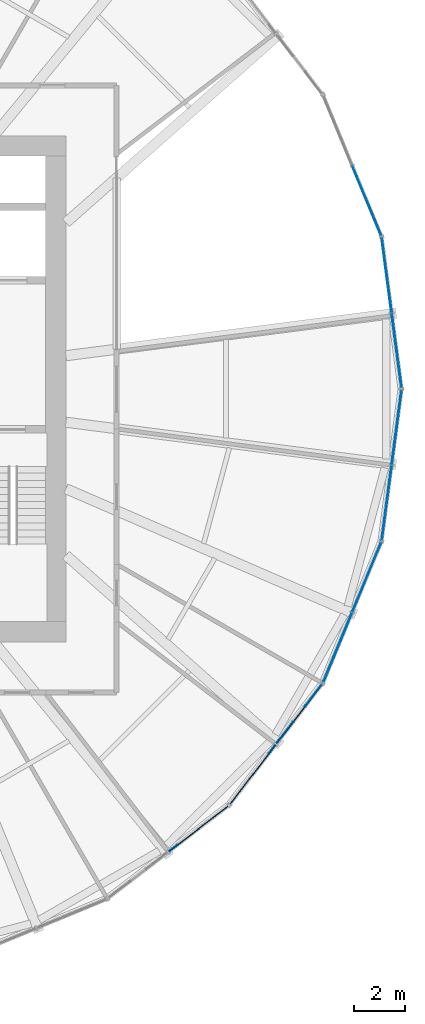
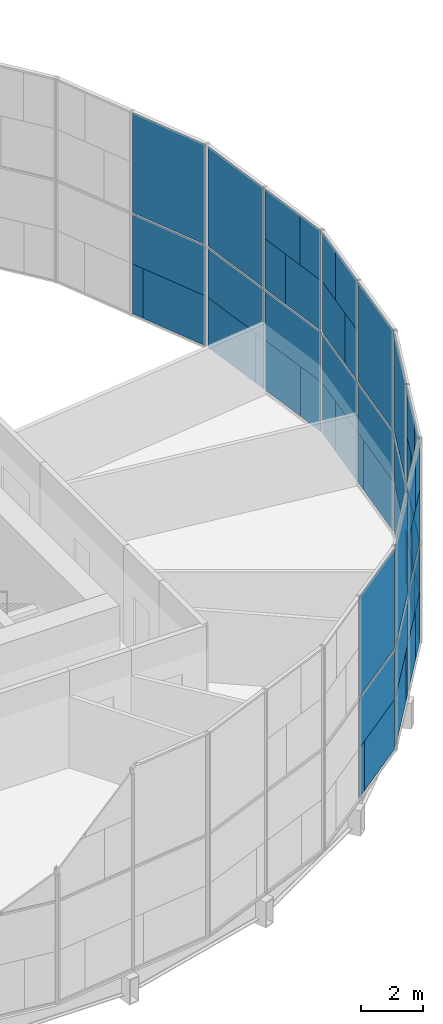
# One storey, part 12 of 18: 52 plates, 6 elements without a shape of their own.
"""IFC4 building model written with IfcOpenShell, lengths in metres."""

from ifc_helpers import new_model, si_unit, direction, frame, origin, origin_2d, place, context, subcontext, project, spatial, rectangle, extrude, material, layer, layer_set, type_object, element, aggregate, save


model = new_model("IFC4")

# Units and contexts
model_context = context("Model", 3, precision=1e-05, world=origin(), true_north=direction((0.0, 1.0)))
body_context = subcontext(model_context, "Body", "Model", "MODEL_VIEW")
ifc_project = project(units=[si_unit("LENGTHUNIT", "METRE"), si_unit("AREAUNIT", "SQUARE_METRE"), si_unit("VOLUMEUNIT", "CUBIC_METRE"), si_unit("PLANEANGLEUNIT", "RADIAN"), si_unit("MASSUNIT", "GRAM", prefix="KILO")], contexts=[model_context])

# Site, building, storey
site_placement = place(None, origin())
site = spatial("IfcSite", under=ifc_project, at=site_placement, CompositionType="ELEMENT")
building_placement = place(site_placement, origin())
building = spatial("IfcBuilding", under=site, at=building_placement, Name="Golbaran Civic Tower", CompositionType="ELEMENT")
storey_placement = place(building_placement, frame((0.0, 0.0, 45.0)))
storey = spatial("IfcBuildingStorey", under=building, at=storey_placement, Name="L10", CompositionType="ELEMENT", Elevation=45.0)

# Curtain wall, plates
ifc_material_1 = material(Name="Aluminium and glass", Category="aluminium")
curtain_wall_type = type_object("IfcCurtainWallType", Name="INNER SKIN CURTAIN WALL", PredefinedType="NOTDEFINED", material=ifc_material_1)
curtain_wall_1_placement = place(storey_placement, origin())
curtain_wall_1 = element("IfcCurtainWall", 1, at=curtain_wall_1_placement, inside=storey, type_object=curtain_wall_type, Name="Inner skin L10 facet 1 CW1", ObjectType="INNER SKIN", PredefinedType="USERDEFINED")
ifc_material_2 = material(Name="Clear insulating glass", Category="glass")
ifc_layer_1 = layer(ifc_material_2, 0.031982421875, Name="Clear insulating glass")
ifc_layer_set_1 = layer_set([ifc_layer_1], Name="Clear insulating glass")
plate_type_1 = type_object("IfcPlateType", Name="INNER SKIN CURTAIN WALL GLAZED PANEL", PredefinedType="CURTAIN_PANEL", material=ifc_layer_set_1)
plate_1_placement = place(storey_placement, frame((23.193359375, 0.58935546875, 0.06494140625), z_axis=(0.0, 0.0, 1.0), x_axis=(-0.130526192134, 0.991444861385, 0.0)))
plate_1 = element("IfcPlate", 2, at=plate_1_placement, type_object=plate_type_1, Name="CW1 panel 1.1 part 1", PredefinedType="CURTAIN_PANEL", context=body_context, shape_type="SweptSolid", body=[
    extrude(rectangle(XDim=1.05908203125, YDim=0.031982421875, at=origin_2d()), origin(), (0.0, 0.0, 1.0), 1.951171875),
])
plate_2_placement = place(storey_placement, frame((22.949462890625, 2.44287109375, 4.032470703125), z_axis=(0.0, 0.0, 1.0), x_axis=(-0.130526192134, 0.991444861385, 0.0)))
plate_2 = element("IfcPlate", 3, at=plate_2_placement, type_object=plate_type_1, Name="CW1 panel 1.2 part 2", PredefinedType="CURTAIN_PANEL", context=body_context, shape_type="SweptSolid", body=[
    extrude(rectangle(XDim=1.08203125, YDim=0.031982421875, at=origin_2d()), origin(), (0.0, 0.0, 1.0), 1.951171875),
])
plate_3_placement = place(storey_placement, frame((23.0, 2.058837890625, 5.98388671875), z_axis=(0.0, 0.0, 1.0), x_axis=(-0.130526192134, 0.991444861385, 0.0)))
plate_3 = element("IfcPlate", 4, at=plate_3_placement, type_object=plate_type_1, Name="CW1 panel 1.2 part 4", PredefinedType="CURTAIN_PANEL", context=body_context, shape_type="SweptSolid", body=[
    extrude(rectangle(XDim=1.85693359375, YDim=0.031982421875, at=origin_2d()), origin(), (0.0, 0.0, 1.0), 1.951171875),
])
plate_4_placement = place(storey_placement, frame((22.65087890625, 4.710205078125, 0.06494140625), z_axis=(0.0, 0.0, 1.0), x_axis=(-0.130526192134, 0.991444861385, 0.0)))
plate_4 = element("IfcPlate", 5, at=plate_4_placement, type_object=plate_type_1, Name="CW1 panel 2.1 part 2", PredefinedType="CURTAIN_PANEL", context=body_context, shape_type="SweptSolid", body=[
    extrude(rectangle(XDim=2.51806640625, YDim=0.031982421875, at=origin_2d()), origin(), (0.0, 0.0, 1.0), 1.951171875),
])
plate_5_placement = place(storey_placement, frame((22.678466796875, 4.501220703125, 2.016357421875), z_axis=(0.0, 0.0, 1.0), x_axis=(-0.130526192134, 0.991444861385, 0.0)))
plate_5 = element("IfcPlate", 6, at=plate_5_placement, type_object=plate_type_1, Name="CW1 panel 2.1 part 3", PredefinedType="CURTAIN_PANEL", context=body_context, shape_type="SweptSolid", body=[
    extrude(rectangle(XDim=2.93994140625, YDim=0.031982421875, at=origin_2d()), origin(), (0.0, 0.0, 1.0), 1.951171875),
])
plate_6_placement = place(storey_placement, frame((22.678466796875, 4.501220703125, 4.0322265625), z_axis=(0.0, 0.0, 1.0), x_axis=(-0.130526192134, 0.991444861385, 0.0)))
plate_6 = element("IfcPlate", 7, at=plate_6_placement, type_object=plate_type_1, Name="CW1 panel 2.2", PredefinedType="CURTAIN_PANEL", context=body_context, shape_type="SweptSolid", body=[
    extrude(rectangle(XDim=2.93994140625, YDim=0.031982421875, at=origin_2d()), origin(), (0.0, 0.0, 1.0), 3.902587890625),
])

curtain_wall_2_placement = place(storey_placement, origin())
curtain_wall_2 = element("IfcCurtainWall", 8, at=curtain_wall_2_placement, inside=storey, type_object=curtain_wall_type, Name="Inner skin L10 facet 2 CW1", ObjectType="INNER SKIN", PredefinedType="USERDEFINED")
plate_7_placement = place(storey_placement, frame((21.971435546875, 7.24609375, 0.06494140625), z_axis=(0.0, 0.0, 1.0), x_axis=(-0.38268343251, 0.923879532451, 0.0)))
plate_7 = element("IfcPlate", 9, at=plate_7_placement, type_object=plate_type_1, Name="CW1 panel 1.1 part 1", PredefinedType="CURTAIN_PANEL", context=body_context, shape_type="SweptSolid", body=[
    extrude(rectangle(XDim=2.51806640625, YDim=0.031982421875, at=origin_2d()), origin(), (0.0, 0.0, 1.0), 1.951171875),
])
plate_8_placement = place(storey_placement, frame((21.890625, 7.441162109375, 2.016357421875), z_axis=(0.0, 0.0, 1.0), x_axis=(-0.38268343251, 0.923879532451, 0.0)))
plate_8 = element("IfcPlate", 10, at=plate_8_placement, type_object=plate_type_1, Name="CW1 panel 1.1 part 3", PredefinedType="CURTAIN_PANEL", context=body_context, shape_type="SweptSolid", body=[
    extrude(rectangle(XDim=2.93994140625, YDim=0.031982421875, at=origin_2d()), origin(), (0.0, 0.0, 1.0), 1.951171875),
])
plate_9_placement = place(storey_placement, frame((21.890625, 7.441162109375, 4.0322265625), z_axis=(0.0, 0.0, 1.0), x_axis=(-0.38268343251, 0.923879532451, 0.0)))
plate_9 = element("IfcPlate", 11, at=plate_9_placement, type_object=plate_type_1, Name="CW1 panel 1.2", PredefinedType="CURTAIN_PANEL", context=body_context, shape_type="SweptSolid", body=[
    extrude(rectangle(XDim=2.93994140625, YDim=0.031982421875, at=origin_2d()), origin(), (0.0, 0.0, 1.0), 3.902587890625),
])

curtain_wall_3_placement = place(storey_placement, origin())
curtain_wall_3 = element("IfcCurtainWall", 12, at=curtain_wall_3_placement, inside=storey, type_object=curtain_wall_type, Name="Inner skin L10 facet 21 CW1", ObjectType="INNER SKIN", PredefinedType="USERDEFINED")
plate_10_placement = place(storey_placement, frame((15.40478515625, -17.260986328125, 0.06494140625), z_axis=(0.0, 0.0, 1.0), x_axis=(0.793353340334, 0.608761428953, 0.0)))
plate_10 = element("IfcPlate", 13, at=plate_10_placement, type_object=plate_type_1, Name="CW1 panel 2.1 part 2", PredefinedType="CURTAIN_PANEL", context=body_context, shape_type="SweptSolid", body=[
    extrude(rectangle(XDim=2.51806640625, YDim=0.031982421875, at=origin_2d()), origin(), (0.0, 0.0, 1.0), 1.951171875),
])
plate_11_placement = place(storey_placement, frame((15.2373046875, -17.389404296875, 2.016357421875), z_axis=(0.0, 0.0, 1.0), x_axis=(0.793353340334, 0.608761428953, 0.0)))
plate_11 = element("IfcPlate", 14, at=plate_11_placement, type_object=plate_type_1, Name="CW1 panel 2.1 part 3", PredefinedType="CURTAIN_PANEL", context=body_context, shape_type="SweptSolid", body=[
    extrude(rectangle(XDim=2.93994140625, YDim=0.031982421875, at=origin_2d()), origin(), (0.0, 0.0, 1.0), 1.951171875),
])
plate_12_placement = place(storey_placement, frame((15.2373046875, -17.389404296875, 4.0322265625), z_axis=(0.0, 0.0, 1.0), x_axis=(0.793353340334, 0.608761428953, 0.0)))
plate_12 = element("IfcPlate", 15, at=plate_12_placement, type_object=plate_type_1, Name="CW1 panel 2.2", PredefinedType="CURTAIN_PANEL", context=body_context, shape_type="SweptSolid", body=[
    extrude(rectangle(XDim=2.93994140625, YDim=0.031982421875, at=origin_2d()), origin(), (0.0, 0.0, 1.0), 3.902587890625),
])

curtain_wall_4_placement = place(storey_placement, origin())
curtain_wall_4 = element("IfcCurtainWall", 16, at=curtain_wall_4_placement, inside=storey, type_object=curtain_wall_type, Name="Inner skin L10 facet 22 CW1", ObjectType="INNER SKIN", PredefinedType="USERDEFINED")
plate_13_placement = place(storey_placement, frame((17.260986328125, -15.40478515625, 0.06494140625), z_axis=(0.0, 0.0, 1.0), x_axis=(0.608761428953, 0.793353340334, 0.0)))
plate_13 = element("IfcPlate", 17, at=plate_13_placement, type_object=plate_type_1, Name="CW1 panel 1.1 part 1", PredefinedType="CURTAIN_PANEL", context=body_context, shape_type="SweptSolid", body=[
    extrude(rectangle(XDim=2.51806640625, YDim=0.031982421875, at=origin_2d()), origin(), (0.0, 0.0, 1.0), 1.951171875),
])
plate_14_placement = place(storey_placement, frame((17.389404296875, -15.2373046875, 2.016357421875), z_axis=(0.0, 0.0, 1.0), x_axis=(0.608761428953, 0.793353340334, 0.0)))
plate_14 = element("IfcPlate", 18, at=plate_14_placement, type_object=plate_type_1, Name="CW1 panel 1.1 part 3", PredefinedType="CURTAIN_PANEL", context=body_context, shape_type="SweptSolid", body=[
    extrude(rectangle(XDim=2.93994140625, YDim=0.031982421875, at=origin_2d()), origin(), (0.0, 0.0, 1.0), 1.951171875),
])
plate_15_placement = place(storey_placement, frame((17.389404296875, -15.2373046875, 4.0322265625), z_axis=(0.0, 0.0, 1.0), x_axis=(0.608761428953, 0.793353340334, 0.0)))
plate_15 = element("IfcPlate", 19, at=plate_15_placement, type_object=plate_type_1, Name="CW1 panel 1.2", PredefinedType="CURTAIN_PANEL", context=body_context, shape_type="SweptSolid", body=[
    extrude(rectangle(XDim=2.93994140625, YDim=0.031982421875, at=origin_2d()), origin(), (0.0, 0.0, 1.0), 3.902587890625),
])
plate_16_placement = place(storey_placement, frame((19.791259765625, -12.107177734375, 0.06494140625), z_axis=(0.0, 0.0, 1.0), x_axis=(0.608761428953, 0.793353340334, 0.0)))
plate_16 = element("IfcPlate", 20, at=plate_16_placement, type_object=plate_type_1, Name="CW1 panel 2.1 part 2", PredefinedType="CURTAIN_PANEL", context=body_context, shape_type="SweptSolid", body=[
    extrude(rectangle(XDim=1.05908203125, YDim=0.031982421875, at=origin_2d()), origin(), (0.0, 0.0, 1.0), 1.951171875),
])
plate_17_placement = place(storey_placement, frame((18.6533203125, -13.59033203125, 4.032470703125), z_axis=(0.0, 0.0, 1.0), x_axis=(0.608761428953, 0.793353340334, 0.0)))
plate_17 = element("IfcPlate", 21, at=plate_17_placement, type_object=plate_type_1, Name="CW1 panel 2.2 part 1", PredefinedType="CURTAIN_PANEL", context=body_context, shape_type="SweptSolid", body=[
    extrude(rectangle(XDim=1.08203125, YDim=0.031982421875, at=origin_2d()), origin(), (0.0, 0.0, 1.0), 1.951171875),
])
plate_18_placement = place(storey_placement, frame((18.88916015625, -13.282958984375, 5.98388671875), z_axis=(0.0, 0.0, 1.0), x_axis=(0.608761428953, 0.793353340334, 0.0)))
plate_18 = element("IfcPlate", 22, at=plate_18_placement, type_object=plate_type_1, Name="CW1 panel 2.2 part 3", PredefinedType="CURTAIN_PANEL", context=body_context, shape_type="SweptSolid", body=[
    extrude(rectangle(XDim=1.85693359375, YDim=0.031982421875, at=origin_2d()), origin(), (0.0, 0.0, 1.0), 1.951171875),
])

curtain_wall_5_placement = place(storey_placement, origin())
curtain_wall_5 = element("IfcCurtainWall", 23, at=curtain_wall_5_placement, inside=storey, type_object=curtain_wall_type, Name="Inner skin L10 facet 23 CW1", ObjectType="INNER SKIN", PredefinedType="USERDEFINED")
plate_19_placement = place(storey_placement, frame((20.380859375, -11.086181640625, 0.06494140625), z_axis=(0.0, 0.0, 1.0), x_axis=(0.38268343251, 0.923879532451, 0.0)))
plate_19 = element("IfcPlate", 24, at=plate_19_placement, type_object=plate_type_1, Name="CW1 panel 1.1 part 1", PredefinedType="CURTAIN_PANEL", context=body_context, shape_type="SweptSolid", body=[
    extrude(rectangle(XDim=1.05908203125, YDim=0.031982421875, at=origin_2d()), origin(), (0.0, 0.0, 1.0), 1.951171875),
])
plate_20_placement = place(storey_placement, frame((21.09619140625, -9.359130859375, 4.032470703125), z_axis=(0.0, 0.0, 1.0), x_axis=(0.38268343251, 0.923879532451, 0.0)))
plate_20 = element("IfcPlate", 25, at=plate_20_placement, type_object=plate_type_1, Name="CW1 panel 1.2 part 2", PredefinedType="CURTAIN_PANEL", context=body_context, shape_type="SweptSolid", body=[
    extrude(rectangle(XDim=1.08203125, YDim=0.031982421875, at=origin_2d()), origin(), (0.0, 0.0, 1.0), 1.951171875),
])
plate_21_placement = place(storey_placement, frame((20.947998046875, -9.717041015625, 5.98388671875), z_axis=(0.0, 0.0, 1.0), x_axis=(0.38268343251, 0.923879532451, 0.0)))
plate_21 = element("IfcPlate", 26, at=plate_21_placement, type_object=plate_type_1, Name="CW1 panel 1.2 part 4", PredefinedType="CURTAIN_PANEL", context=body_context, shape_type="SweptSolid", body=[
    extrude(rectangle(XDim=1.85693359375, YDim=0.031982421875, at=origin_2d()), origin(), (0.0, 0.0, 1.0), 1.951171875),
])
plate_22_placement = place(storey_placement, frame((21.971435546875, -7.24609375, 0.06494140625), z_axis=(0.0, 0.0, 1.0), x_axis=(0.38268343251, 0.923879532451, 0.0)))
plate_22 = element("IfcPlate", 27, at=plate_22_placement, type_object=plate_type_1, Name="CW1 panel 2.1 part 2", PredefinedType="CURTAIN_PANEL", context=body_context, shape_type="SweptSolid", body=[
    extrude(rectangle(XDim=2.51806640625, YDim=0.031982421875, at=origin_2d()), origin(), (0.0, 0.0, 1.0), 1.951171875),
])
plate_23_placement = place(storey_placement, frame((21.890625, -7.441162109375, 2.016357421875), z_axis=(0.0, 0.0, 1.0), x_axis=(0.38268343251, 0.923879532451, 0.0)))
plate_23 = element("IfcPlate", 28, at=plate_23_placement, type_object=plate_type_1, Name="CW1 panel 2.1 part 3", PredefinedType="CURTAIN_PANEL", context=body_context, shape_type="SweptSolid", body=[
    extrude(rectangle(XDim=2.93994140625, YDim=0.031982421875, at=origin_2d()), origin(), (0.0, 0.0, 1.0), 1.951171875),
])
plate_24_placement = place(storey_placement, frame((21.890625, -7.441162109375, 4.0322265625), z_axis=(0.0, 0.0, 1.0), x_axis=(0.38268343251, 0.923879532451, 0.0)))
plate_24 = element("IfcPlate", 29, at=plate_24_placement, type_object=plate_type_1, Name="CW1 panel 2.2", PredefinedType="CURTAIN_PANEL", context=body_context, shape_type="SweptSolid", body=[
    extrude(rectangle(XDim=2.93994140625, YDim=0.031982421875, at=origin_2d()), origin(), (0.0, 0.0, 1.0), 3.902587890625),
])

curtain_wall_6_placement = place(storey_placement, origin())
curtain_wall_6 = element("IfcCurtainWall", 30, at=curtain_wall_6_placement, inside=storey, type_object=curtain_wall_type, Name="Inner skin L10 facet 24 CW1", ObjectType="INNER SKIN", PredefinedType="USERDEFINED")
plate_25_placement = place(storey_placement, frame((22.65087890625, -4.710205078125, 0.06494140625), z_axis=(0.0, 0.0, 1.0), x_axis=(0.130526192134, 0.991444861385, 0.0)))
plate_25 = element("IfcPlate", 31, at=plate_25_placement, type_object=plate_type_1, Name="CW1 panel 1.1 part 1", PredefinedType="CURTAIN_PANEL", context=body_context, shape_type="SweptSolid", body=[
    extrude(rectangle(XDim=2.51806640625, YDim=0.031982421875, at=origin_2d()), origin(), (0.0, 0.0, 1.0), 1.951171875),
])
plate_26_placement = place(storey_placement, frame((22.678466796875, -4.501220703125, 2.016357421875), z_axis=(0.0, 0.0, 1.0), x_axis=(0.130526192134, 0.991444861385, 0.0)))
plate_26 = element("IfcPlate", 32, at=plate_26_placement, type_object=plate_type_1, Name="CW1 panel 1.1 part 3", PredefinedType="CURTAIN_PANEL", context=body_context, shape_type="SweptSolid", body=[
    extrude(rectangle(XDim=2.93994140625, YDim=0.031982421875, at=origin_2d()), origin(), (0.0, 0.0, 1.0), 1.951171875),
])
plate_27_placement = place(storey_placement, frame((22.678466796875, -4.501220703125, 4.0322265625), z_axis=(0.0, 0.0, 1.0), x_axis=(0.130526192134, 0.991444861385, 0.0)))
plate_27 = element("IfcPlate", 33, at=plate_27_placement, type_object=plate_type_1, Name="CW1 panel 1.2", PredefinedType="CURTAIN_PANEL", context=body_context, shape_type="SweptSolid", body=[
    extrude(rectangle(XDim=2.93994140625, YDim=0.031982421875, at=origin_2d()), origin(), (0.0, 0.0, 1.0), 3.902587890625),
])
plate_28_placement = place(storey_placement, frame((23.193359375, -0.58935546875, 0.06494140625), z_axis=(0.0, 0.0, 1.0), x_axis=(0.130526192134, 0.991444861385, 0.0)))
plate_28 = element("IfcPlate", 34, at=plate_28_placement, type_object=plate_type_1, Name="CW1 panel 2.1 part 2", PredefinedType="CURTAIN_PANEL", context=body_context, shape_type="SweptSolid", body=[
    extrude(rectangle(XDim=1.05908203125, YDim=0.031982421875, at=origin_2d()), origin(), (0.0, 0.0, 1.0), 1.951171875),
])
plate_29_placement = place(storey_placement, frame((22.949462890625, -2.44287109375, 4.032470703125), z_axis=(0.0, 0.0, 1.0), x_axis=(0.130526192134, 0.991444861385, 0.0)))
plate_29 = element("IfcPlate", 35, at=plate_29_placement, type_object=plate_type_1, Name="CW1 panel 2.2 part 1", PredefinedType="CURTAIN_PANEL", context=body_context, shape_type="SweptSolid", body=[
    extrude(rectangle(XDim=1.08203125, YDim=0.031982421875, at=origin_2d()), origin(), (0.0, 0.0, 1.0), 1.951171875),
])
plate_30_placement = place(storey_placement, frame((23.0, -2.05859375, 5.98388671875), z_axis=(0.0, 0.0, 1.0), x_axis=(0.130526192134, 0.991444861385, 0.0)))
plate_30 = element("IfcPlate", 36, at=plate_30_placement, type_object=plate_type_1, Name="CW1 panel 2.2 part 3", PredefinedType="CURTAIN_PANEL", context=body_context, shape_type="SweptSolid", body=[
    extrude(rectangle(XDim=1.85693359375, YDim=0.031982421875, at=origin_2d()), origin(), (0.0, 0.0, 1.0), 1.951171875),
])

# Plate
ifc_material_3 = material(Name="Aluminium faced opaque infill panel", Category="aluminium")
ifc_layer_2 = layer(ifc_material_3, 0.031982421875, Name="Aluminium faced opaque infill panel")
ifc_layer_set_2 = layer_set([ifc_layer_2], Name="Aluminium faced opaque infill panel")
plate_type_2 = type_object("IfcPlateType", Name="INNER SKIN CURTAIN WALL OPAQUE INFILL PANEL", PredefinedType="CURTAIN_PANEL", material=ifc_layer_set_2)
plate_31_placement = place(storey_placement, frame((23.00146484375, 2.046875, 0.06494140625), z_axis=(0.0, 0.0, 1.0), x_axis=(-0.130526192134, 0.991444861385, 0.0)))
plate_31 = element("IfcPlate", 37, at=plate_31_placement, type_object=plate_type_2, Name="CW1 infill panel 1.1 part 2", PredefinedType="CURTAIN_PANEL", context=body_context, shape_type="SweptSolid", body=[
    extrude(rectangle(XDim=1.880859375, YDim=0.031982421875, at=origin_2d()), origin(), (0.0, 0.0, 1.0), 1.951171875),
])

plate_32_placement = place(storey_placement, frame((23.070556640625, 1.52197265625, 2.016357421875), z_axis=(0.0, 0.0, 1.0), x_axis=(-0.130526192134, 0.991444861385, 0.0)))
plate_32 = element("IfcPlate", 38, at=plate_32_placement, type_object=plate_type_2, Name="CW1 infill panel 1.1 part 3", PredefinedType="CURTAIN_PANEL", context=body_context, shape_type="SweptSolid", body=[
    extrude(rectangle(XDim=2.93994140625, YDim=0.031982421875, at=origin_2d()), origin(), (0.0, 0.0, 1.0), 1.951171875),
])

plate_33_placement = place(storey_placement, frame((23.141357421875, 0.985595703125, 4.032470703125), z_axis=(0.0, 0.0, 1.0), x_axis=(-0.130526192134, 0.991444861385, 0.0)))
plate_33 = element("IfcPlate", 39, at=plate_33_placement, type_object=plate_type_2, Name="CW1 infill panel 1.2 part 1", PredefinedType="CURTAIN_PANEL", context=body_context, shape_type="SweptSolid", body=[
    extrude(rectangle(XDim=1.85791015625, YDim=0.031982421875, at=origin_2d()), origin(), (0.0, 0.0, 1.0), 1.951171875),
])

plate_34_placement = place(storey_placement, frame((23.19189453125, 0.601318359375, 5.98388671875), z_axis=(0.0, 0.0, 1.0), x_axis=(-0.130526192134, 0.991444861385, 0.0)))
plate_34 = element("IfcPlate", 40, at=plate_34_placement, type_object=plate_type_2, Name="CW1 infill panel 1.2 part 3", PredefinedType="CURTAIN_PANEL", context=body_context, shape_type="SweptSolid", body=[
    extrude(rectangle(XDim=1.0830078125, YDim=0.031982421875, at=origin_2d()), origin(), (0.0, 0.0, 1.0), 1.951171875),
])

plate_35_placement = place(storey_placement, frame((22.8427734375, 3.2529296875, 0.06494140625), z_axis=(0.0, 0.0, 1.0), x_axis=(-0.130526192134, 0.991444861385, 0.0)))
plate_35 = element("IfcPlate", 41, at=plate_35_placement, type_object=plate_type_2, Name="CW1 infill panel 2.1 part 1", PredefinedType="CURTAIN_PANEL", context=body_context, shape_type="SweptSolid", body=[
    extrude(rectangle(XDim=0.422119140625, YDim=0.031982421875, at=origin_2d()), origin(), (0.0, 0.0, 1.0), 1.951171875),
])

aggregate(curtain_wall_1, [plate_1, plate_31, plate_32, plate_33, plate_2, plate_34, plate_3, plate_35, plate_4, plate_5, plate_6])

plate_36_placement = place(storey_placement, frame((21.408935546875, 8.604248046875, 0.06494140625), z_axis=(0.0, 0.0, 1.0), x_axis=(-0.38268343251, 0.923879532451, 0.0)))
plate_36 = element("IfcPlate", 42, at=plate_36_placement, type_object=plate_type_2, Name="CW1 infill panel 1.1 part 2", PredefinedType="CURTAIN_PANEL", context=body_context, shape_type="SweptSolid", body=[
    extrude(rectangle(XDim=0.421875, YDim=0.031982421875, at=origin_2d()), origin(), (0.0, 0.0, 1.0), 1.951171875),
])

aggregate(curtain_wall_2, [plate_7, plate_36, plate_8, plate_9])

plate_37_placement = place(storey_placement, frame((14.238525390625, -18.156005859375, 0.06494140625), z_axis=(0.0, 0.0, 1.0), x_axis=(0.793353340334, 0.608761428953, 0.0)))
plate_37 = element("IfcPlate", 43, at=plate_37_placement, type_object=plate_type_2, Name="CW1 infill panel 2.1 part 1", PredefinedType="CURTAIN_PANEL", context=body_context, shape_type="SweptSolid", body=[
    extrude(rectangle(XDim=0.422119140625, YDim=0.031982421875, at=origin_2d()), origin(), (0.0, 0.0, 1.0), 1.951171875),
])

aggregate(curtain_wall_3, [plate_37, plate_10, plate_11, plate_12])

plate_38_placement = place(storey_placement, frame((18.156005859375, -14.238525390625, 0.06494140625), z_axis=(0.0, 0.0, 1.0), x_axis=(0.608761428953, 0.793353340334, 0.0)))
plate_38 = element("IfcPlate", 44, at=plate_38_placement, type_object=plate_type_2, Name="CW1 infill panel 1.1 part 2", PredefinedType="CURTAIN_PANEL", context=body_context, shape_type="SweptSolid", body=[
    extrude(rectangle(XDim=0.421875, YDim=0.031982421875, at=origin_2d()), origin(), (0.0, 0.0, 1.0), 1.951171875),
])

plate_39_placement = place(storey_placement, frame((18.896484375, -13.2734375, 0.06494140625), z_axis=(0.0, 0.0, 1.0), x_axis=(0.608761428953, 0.793353340334, 0.0)))
plate_39 = element("IfcPlate", 45, at=plate_39_placement, type_object=plate_type_2, Name="CW1 infill panel 2.1 part 1", PredefinedType="CURTAIN_PANEL", context=body_context, shape_type="SweptSolid", body=[
    extrude(rectangle(XDim=1.881103515625, YDim=0.031982421875, at=origin_2d()), origin(), (0.0, 0.0, 1.0), 1.951171875),
])

plate_40_placement = place(storey_placement, frame((19.21875, -12.853271484375, 2.016357421875), z_axis=(0.0, 0.0, 1.0), x_axis=(0.608761428953, 0.793353340334, 0.0)))
plate_40 = element("IfcPlate", 46, at=plate_40_placement, type_object=plate_type_2, Name="CW1 infill panel 2.1 part 3", PredefinedType="CURTAIN_PANEL", context=body_context, shape_type="SweptSolid", body=[
    extrude(rectangle(XDim=2.93994140625, YDim=0.031982421875, at=origin_2d()), origin(), (0.0, 0.0, 1.0), 1.951171875),
])

plate_41_placement = place(storey_placement, frame((19.548095703125, -12.424072265625, 4.032470703125), z_axis=(0.0, 0.0, 1.0), x_axis=(0.608761428953, 0.793353340334, 0.0)))
plate_41 = element("IfcPlate", 47, at=plate_41_placement, type_object=plate_type_2, Name="CW1 infill panel 2.2 part 2", PredefinedType="CURTAIN_PANEL", context=body_context, shape_type="SweptSolid", body=[
    extrude(rectangle(XDim=1.85791015625, YDim=0.031982421875, at=origin_2d()), origin(), (0.0, 0.0, 1.0), 1.951171875),
])

plate_42_placement = place(storey_placement, frame((19.7841796875, -12.11669921875, 5.98388671875), z_axis=(0.0, 0.0, 1.0), x_axis=(0.608761428953, 0.793353340334, 0.0)))
plate_42 = element("IfcPlate", 48, at=plate_42_placement, type_object=plate_type_2, Name="CW1 infill panel 2.2 part 4", PredefinedType="CURTAIN_PANEL", context=body_context, shape_type="SweptSolid", body=[
    extrude(rectangle(XDim=1.0830078125, YDim=0.031982421875, at=origin_2d()), origin(), (0.0, 0.0, 1.0), 1.951171875),
])

aggregate(curtain_wall_4, [plate_13, plate_38, plate_14, plate_15, plate_39, plate_16, plate_40, plate_17, plate_41, plate_18, plate_42])

plate_43_placement = place(storey_placement, frame((20.943359375, -9.728271484375, 0.06494140625), z_axis=(0.0, 0.0, 1.0), x_axis=(0.38268343251, 0.923879532451, 0.0)))
plate_43 = element("IfcPlate", 49, at=plate_43_placement, type_object=plate_type_2, Name="CW1 infill panel 1.1 part 2", PredefinedType="CURTAIN_PANEL", context=body_context, shape_type="SweptSolid", body=[
    extrude(rectangle(XDim=1.880859375, YDim=0.031982421875, at=origin_2d()), origin(), (0.0, 0.0, 1.0), 1.951171875),
])

plate_44_placement = place(storey_placement, frame((20.74072265625, -10.21728515625, 2.016357421875), z_axis=(0.0, 0.0, 1.0), x_axis=(0.38268343251, 0.923879532451, 0.0)))
plate_44 = element("IfcPlate", 50, at=plate_44_placement, type_object=plate_type_2, Name="CW1 infill panel 1.1 part 3", PredefinedType="CURTAIN_PANEL", context=body_context, shape_type="SweptSolid", body=[
    extrude(rectangle(XDim=2.93994140625, YDim=0.031982421875, at=origin_2d()), origin(), (0.0, 0.0, 1.0), 1.951171875),
])

plate_45_placement = place(storey_placement, frame((20.53369140625, -10.71728515625, 4.032470703125), z_axis=(0.0, 0.0, 1.0), x_axis=(0.38268343251, 0.923879532451, 0.0)))
plate_45 = element("IfcPlate", 51, at=plate_45_placement, type_object=plate_type_2, Name="CW1 infill panel 1.2 part 1", PredefinedType="CURTAIN_PANEL", context=body_context, shape_type="SweptSolid", body=[
    extrude(rectangle(XDim=1.85791015625, YDim=0.031982421875, at=origin_2d()), origin(), (0.0, 0.0, 1.0), 1.951171875),
])

plate_46_placement = place(storey_placement, frame((20.38525390625, -11.0751953125, 5.98388671875), z_axis=(0.0, 0.0, 1.0), x_axis=(0.38268343251, 0.923879532451, 0.0)))
plate_46 = element("IfcPlate", 52, at=plate_46_placement, type_object=plate_type_2, Name="CW1 infill panel 1.2 part 3", PredefinedType="CURTAIN_PANEL", context=body_context, shape_type="SweptSolid", body=[
    extrude(rectangle(XDim=1.0830078125, YDim=0.031982421875, at=origin_2d()), origin(), (0.0, 0.0, 1.0), 1.951171875),
])

plate_47_placement = place(storey_placement, frame((21.408935546875, -8.604248046875, 0.06494140625), z_axis=(0.0, 0.0, 1.0), x_axis=(0.38268343251, 0.923879532451, 0.0)))
plate_47 = element("IfcPlate", 53, at=plate_47_placement, type_object=plate_type_2, Name="CW1 infill panel 2.1 part 1", PredefinedType="CURTAIN_PANEL", context=body_context, shape_type="SweptSolid", body=[
    extrude(rectangle(XDim=0.422119140625, YDim=0.031982421875, at=origin_2d()), origin(), (0.0, 0.0, 1.0), 1.951171875),
])

aggregate(curtain_wall_5, [plate_19, plate_43, plate_44, plate_45, plate_20, plate_46, plate_21, plate_47, plate_22, plate_23, plate_24])

plate_48_placement = place(storey_placement, frame((22.8427734375, -3.2529296875, 0.06494140625), z_axis=(0.0, 0.0, 1.0), x_axis=(0.130526192134, 0.991444861385, 0.0)))
plate_48 = element("IfcPlate", 54, at=plate_48_placement, type_object=plate_type_2, Name="CW1 infill panel 1.1 part 2", PredefinedType="CURTAIN_PANEL", context=body_context, shape_type="SweptSolid", body=[
    extrude(rectangle(XDim=0.421875, YDim=0.031982421875, at=origin_2d()), origin(), (0.0, 0.0, 1.0), 1.951171875),
])

plate_49_placement = place(storey_placement, frame((23.00146484375, -2.046875, 0.06494140625), z_axis=(0.0, 0.0, 1.0), x_axis=(0.130526192134, 0.991444861385, 0.0)))
plate_49 = element("IfcPlate", 55, at=plate_49_placement, type_object=plate_type_2, Name="CW1 infill panel 2.1 part 1", PredefinedType="CURTAIN_PANEL", context=body_context, shape_type="SweptSolid", body=[
    extrude(rectangle(XDim=1.881103515625, YDim=0.031982421875, at=origin_2d()), origin(), (0.0, 0.0, 1.0), 1.951171875),
])

plate_50_placement = place(storey_placement, frame((23.070556640625, -1.52197265625, 2.016357421875), z_axis=(0.0, 0.0, 1.0), x_axis=(0.130526192134, 0.991444861385, 0.0)))
plate_50 = element("IfcPlate", 56, at=plate_50_placement, type_object=plate_type_2, Name="CW1 infill panel 2.1 part 3", PredefinedType="CURTAIN_PANEL", context=body_context, shape_type="SweptSolid", body=[
    extrude(rectangle(XDim=2.93994140625, YDim=0.031982421875, at=origin_2d()), origin(), (0.0, 0.0, 1.0), 1.951171875),
])

plate_51_placement = place(storey_placement, frame((23.141357421875, -0.985595703125, 4.032470703125), z_axis=(0.0, 0.0, 1.0), x_axis=(0.130526192134, 0.991444861385, 0.0)))
plate_51 = element("IfcPlate", 57, at=plate_51_placement, type_object=plate_type_2, Name="CW1 infill panel 2.2 part 2", PredefinedType="CURTAIN_PANEL", context=body_context, shape_type="SweptSolid", body=[
    extrude(rectangle(XDim=1.85791015625, YDim=0.031982421875, at=origin_2d()), origin(), (0.0, 0.0, 1.0), 1.951171875),
])

plate_52_placement = place(storey_placement, frame((23.19189453125, -0.601318359375, 5.98388671875), z_axis=(0.0, 0.0, 1.0), x_axis=(0.130526192134, 0.991444861385, 0.0)))
plate_52 = element("IfcPlate", 58, at=plate_52_placement, type_object=plate_type_2, Name="CW1 infill panel 2.2 part 4", PredefinedType="CURTAIN_PANEL", context=body_context, shape_type="SweptSolid", body=[
    extrude(rectangle(XDim=1.0830078125, YDim=0.031982421875, at=origin_2d()), origin(), (0.0, 0.0, 1.0), 1.951171875),
])

aggregate(curtain_wall_6, [plate_25, plate_48, plate_26, plate_27, plate_49, plate_28, plate_50, plate_29, plate_51, plate_30, plate_52])

save(model, "model.ifc")
